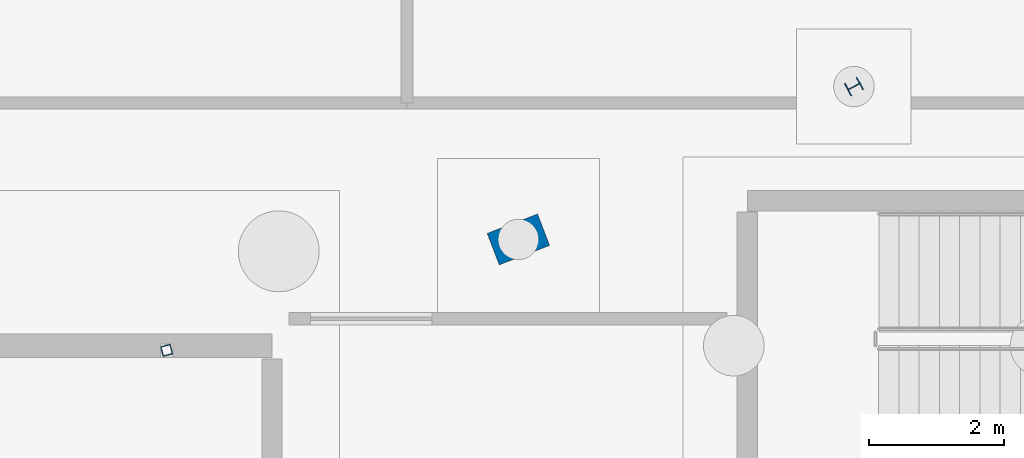
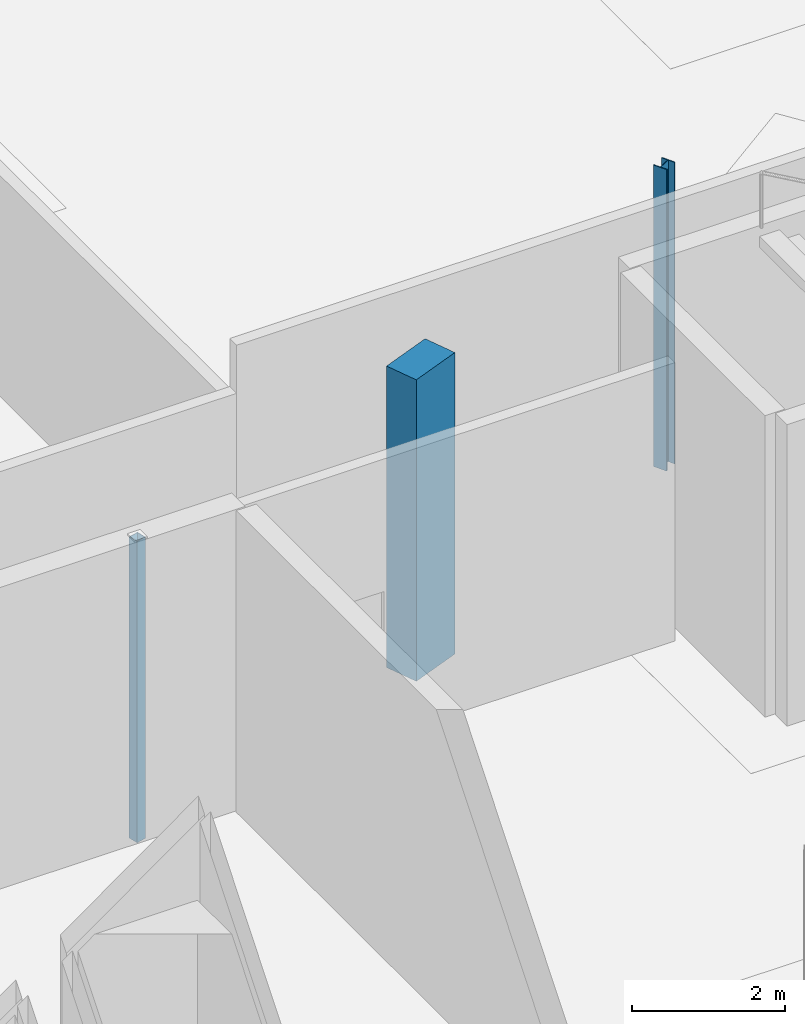
# One storey, part 24 of 136: 3 columns.
"""IFC4 building model written with IfcOpenShell, lengths in metres."""

from ifc_helpers import new_model, si_unit, direction, frame, origin, origin_2d, place, context, subcontext, project, spatial, rectangle, hollow_rectangle, i_section, extrude, material, material_profile, profile_set, type_object, element, save


model = new_model("IFC4")

# Units and contexts
model_context = context("Model", 3, precision=1e-05, world=origin(), true_north=direction((0.0, 1.0)))
body_context = subcontext(model_context, "Body", "Model", "MODEL_VIEW")
ifc_project = project(units=[si_unit("LENGTHUNIT", "METRE"), si_unit("AREAUNIT", "SQUARE_METRE"), si_unit("VOLUMEUNIT", "CUBIC_METRE"), si_unit("PLANEANGLEUNIT", "RADIAN"), si_unit("MASSUNIT", "GRAM", prefix="KILO")], contexts=[model_context])

# Site, building, storey
site_placement = place(None, origin())
site = spatial("IfcSite", under=ifc_project, at=site_placement, CompositionType="ELEMENT")
building_placement = place(site_placement, origin())
building = spatial("IfcBuilding", under=site, at=building_placement, Name="Tarnwether General Hospital", CompositionType="ELEMENT")
storey_placement = place(building_placement, frame((0.0, 0.0, -4.800048828125)))
storey = spatial("IfcBuildingStorey", under=building, at=storey_placement, Name="LG", CompositionType="ELEMENT", Elevation=-4.800048828125)

# Columns
ifc_material_1 = material(Name="Concrete 50 MPa", Category="concrete")
ifc_material_profile_1 = material_profile(ifc_material_1, rectangle(XDim=0.5, YDim=0.800048828125, at=origin_2d()), Name="RC-PIL-500x800")
ifc_profile_set_1 = profile_set([ifc_material_profile_1], Name="Concrete 50 MPa")
column_type_1 = type_object("IfcColumnType", Name="COL-23", PredefinedType="PILASTER", material=ifc_profile_set_1)
column_1_placement = place(storey_placement, frame((108.054931640625, 21.176025390625, 0.0), z_axis=(0.0, 0.0, 1.0), x_axis=(-0.358367949545, 0.933580426497, 0.0)))
element("IfcColumn", 1, at=column_1_placement, inside=storey, type_object=column_type_1, Name="Column COLG-LG-10806_2118", PredefinedType="PILASTER", context=body_context, shape_type="SweptSolid", body=[
    extrude(rectangle(XDim=0.5, YDim=0.800048828125, at=origin_2d()), origin(), (0.0, 0.0, 1.0), 4.800048828125),
])
ifc_material_2 = material(Name="Steel Grade 350 (350 MPa)", Category="steel")
ifc_material_profile_2 = material_profile(ifc_material_2, i_section(OverallWidth=0.205078125, OverallDepth=0.2099609375, WebThickness=0.00927734375, FlangeThickness=0.01416015625, at=origin_2d()), Name="200UC59.5")
ifc_profile_set_2 = profile_set([ifc_material_profile_2], Name="Steel Grade 350 (350 MPa)")
column_type_2 = type_object("IfcColumnType", Name="COL-25", PredefinedType="COLUMN", material=ifc_profile_set_2)
column_2_placement = place(storey_placement, frame((113.031982421875, 23.444091796875, 0.0), z_axis=(0.0, 0.0, 1.0), x_axis=(-0.469471562786, 0.882947592859, 0.0)))
element("IfcColumn", 2, at=column_2_placement, inside=storey, type_object=column_type_2, Name="Column COLG-LG-11303_2344", PredefinedType="COLUMN", context=body_context, shape_type="SweptSolid", body=[
    extrude(i_section(OverallWidth=0.205078125, OverallDepth=0.2099609375, WebThickness=0.00927734375, FlangeThickness=0.01416015625, at=origin_2d()), origin(), (0.0, 0.0, 1.0), 4.800048828125),
])
ifc_material_3 = material(Name="Steel Grade C350L0 (350 MPa)", Category="steel")
ifc_material_profile_3 = material_profile(ifc_material_3, hollow_rectangle(XDim=0.14990234375, YDim=0.14990234375, WallThickness=0.008056640625, at=origin_2d()), Name="SHS150x150x8")
ifc_profile_set_3 = profile_set([ifc_material_profile_3], Name="Steel Grade C350L0 (350 MPa)")
column_type_3 = type_object("IfcColumnType", Name="COL-33", PredefinedType="COLUMN", material=ifc_profile_set_3)
column_3_placement = place(storey_placement, frame((102.837890625, 19.531005859375, 0.0), z_axis=(0.0, 0.0, 1.0), x_axis=(-0.2419218956, 0.970295726276, 0.0)))
element("IfcColumn", 3, at=column_3_placement, inside=storey, type_object=column_type_3, Name="Column COLG-LG-10284_1953", PredefinedType="COLUMN", context=body_context, shape_type="SweptSolid", body=[
    extrude(hollow_rectangle(XDim=0.14990234375, YDim=0.14990234375, WallThickness=0.008056640625, at=origin_2d()), origin(), (0.0, 0.0, 1.0), 4.800048828125),
])

save(model, "model.ifc")
